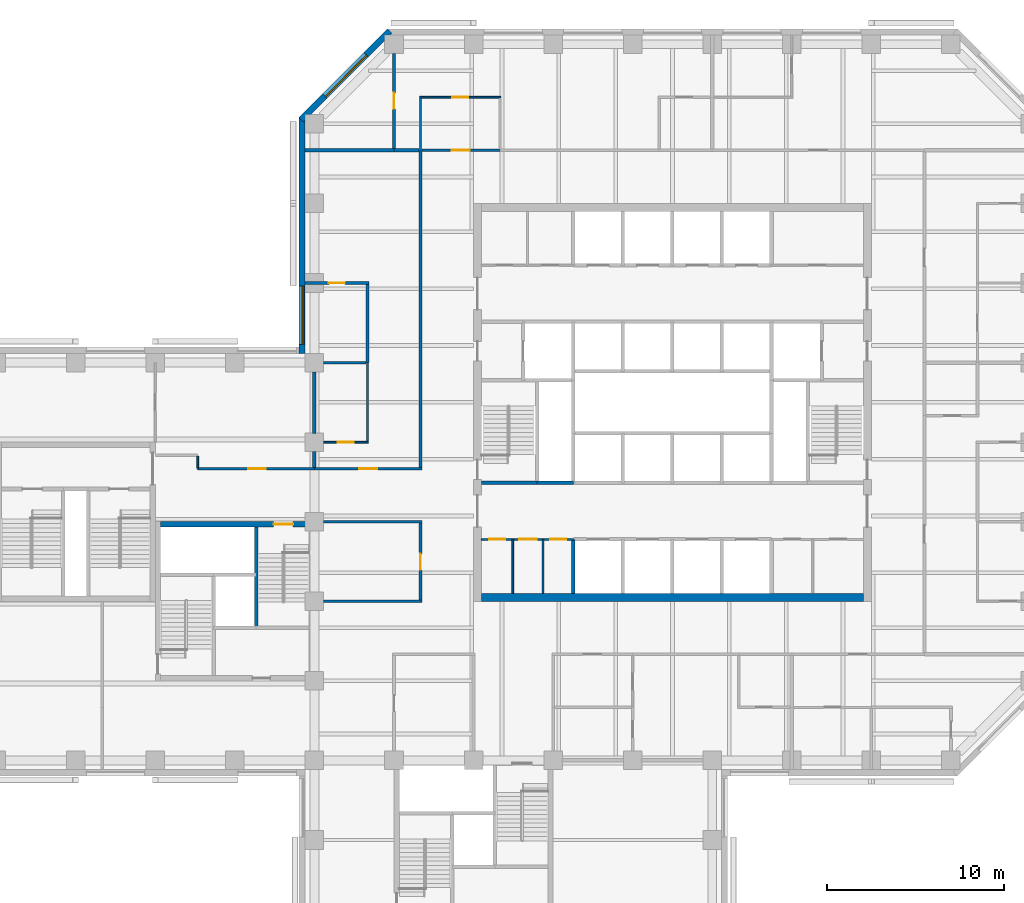
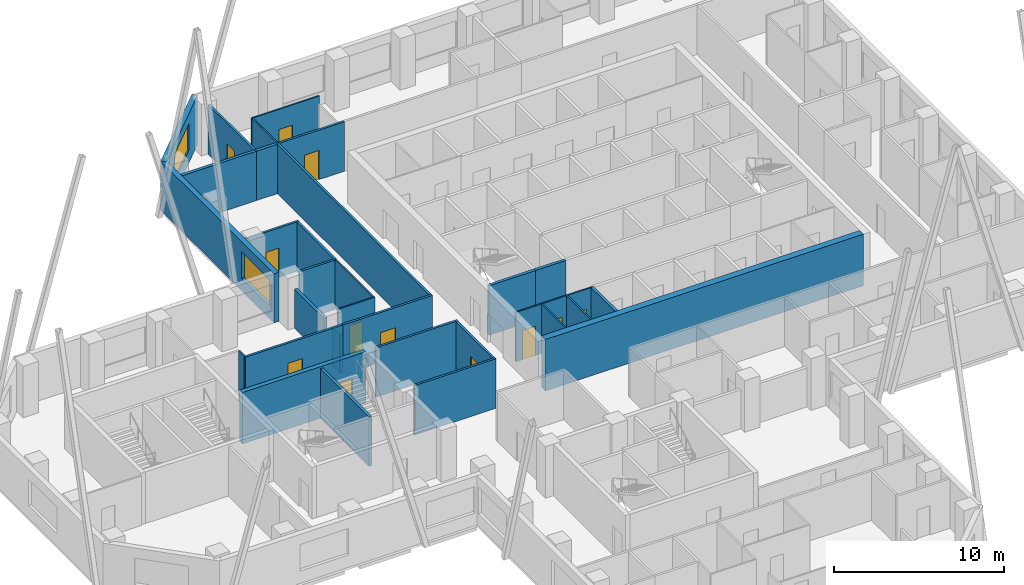
# One storey, part 6 of 11: 31 walls, 12 doors, 2 windows, 14 openings.
"""IFC4 building model written with IfcOpenShell, lengths in metres."""

from ifc_helpers import new_model, si_unit, direction, frame, frame_2d, origin, place, context, subcontext, project, spatial, rectangle, extrude, material, layer, layer_set, constituent, constituent_set, type_object, element, fill, save


model = new_model("IFC4")

# Units and contexts
model_context = context("Model", 3, precision=1e-05, world=origin(), true_north=direction((0.0, 1.0)))
body_context = subcontext(model_context, "Body", "Model", "MODEL_VIEW")
ifc_project = project(units=[si_unit("LENGTHUNIT", "METRE"), si_unit("AREAUNIT", "SQUARE_METRE"), si_unit("VOLUMEUNIT", "CUBIC_METRE"), si_unit("PLANEANGLEUNIT", "RADIAN"), si_unit("MASSUNIT", "GRAM", prefix="KILO")], contexts=[model_context])

# Site, building, storey
site_placement = place(None, origin())
site = spatial("IfcSite", under=ifc_project, at=site_placement, CompositionType="ELEMENT")
building_placement = place(site_placement, origin())
building = spatial("IfcBuilding", under=site, at=building_placement, Name="Quoin Convention Tower", CompositionType="ELEMENT")
storey_placement = place(building_placement, frame((0.0, 0.0, 127.0)))
storey = spatial("IfcBuildingStorey", under=building, at=storey_placement, Name="L33", CompositionType="ELEMENT", Elevation=127.0)

# Wall
ifc_material_1 = material(Name="Plasterboard")
ifc_layer_1 = layer(ifc_material_1, 0.012451171875, Name="Finish")
ifc_material_2 = material(Name="Steel stud framing", Category="steel")
ifc_layer_2 = layer(ifc_material_2, 0.125, Name="Structure")
ifc_layer_3 = layer(ifc_material_1, 0.012451171875, Name="Finish")
ifc_layer_set_1 = layer_set([ifc_layer_1, ifc_layer_2, ifc_layer_3], Name="Steel stud framing")
wall_type_1 = type_object("IfcWallType", Name="Acoustic partition 150", PredefinedType="PARTITIONING", material=ifc_layer_set_1)
wall_1_placement = place(storey_placement, frame((36.52490234375, 63.0, 0.0), z_axis=(0.0, 0.0, 1.0), x_axis=(1.0, 0.0, 0.0)))
element("IfcWall", 1, at=wall_1_placement, inside=storey, type_object=wall_type_1, Name="pw-L33-042", PredefinedType="PARTITIONING", context=body_context, shape_type="SweptSolid", body=[
    extrude(rectangle(XDim=2.400146484375, YDim=0.14990234375, at=frame_2d((1.2001953125, 0.0))), origin(), (0.0, 0.0, 1.0), 3.550048828125),
])

# Wall, opening, door
wall_2_placement = place(storey_placement, frame((35.47509765625, 67.5, 0.0), z_axis=(0.0, 0.0, 1.0), x_axis=(1.0, 0.0, 0.0)))
wall_2 = element("IfcWall", 2, at=wall_2_placement, inside=storey, type_object=wall_type_1, Name="pw-L33-045", PredefinedType="PARTITIONING", context=body_context, shape_type="SweptSolid", body=[
    extrude(rectangle(XDim=3.599853515625, YDim=0.14990234375, at=frame_2d((1.7998046875, 0.0))), origin(), (0.0, 0.0, 1.0), 3.550048828125),
])
opening_1_placement = place(wall_2_placement, frame((1.35009765625, 0.0, 0.0)))
opening_1 = element("IfcOpeningElement", 3, at=opening_1_placement, cuts=wall_2, Name="Opening DOL7-19", PredefinedType="OPENING", context=body_context, shape_type="SweptSolid", body=[
    extrude(rectangle(XDim=0.89990234375, YDim=2.10009765625, at=frame_2d((0.449951171875, 1.050048828125))), frame((0.0, 0.0849609375, 0.0), z_axis=(0.0, -1.0, 0.0), x_axis=(1.0, 0.0, 0.0)), (0.0, 0.0, 1.0), 0.169921875),
])
ifc_material_3 = material(Name="Steel door leaf", Category="steel")
door_type_1 = type_object("IfcDoorType", Name="Office door 900 x 2100", OperationType="SINGLE_SWING_RIGHT", PredefinedType="DOOR", material=ifc_material_3)
door_1_placement = place(opening_1_placement, origin())
door_1 = element("IfcDoor", 4, at=door_1_placement, inside=storey, type_object=door_type_1, Name="dr-L33-40", OperationType="SINGLE_SWING_RIGHT", OverallHeight=2.10009765625, OverallWidth=0.89990234375, PredefinedType="DOOR", context=body_context, shape_type="SweptSolid", body=[
    extrude(rectangle(XDim=0.89990234375, YDim=2.10009765625, at=frame_2d((0.449951171875, 1.050048828125))), frame((0.0, 0.02490234375, 0.0), z_axis=(0.0, -1.0, 0.0), x_axis=(1.0, 0.0, 0.0)), (0.0, 0.0, 1.0), 0.050048828125),
])
fill(opening_1, door_1)

# Wall
wall_3_placement = place(storey_placement, frame((39.0, 63.0, 0.0), z_axis=(0.0, 0.0, 1.0), x_axis=(0.0, 1.0, 0.0)))
element("IfcWall", 5, at=wall_3_placement, inside=storey, type_object=wall_type_1, Name="pw-L33-098", PredefinedType="PARTITIONING", context=body_context, shape_type="SweptSolid", body=[
    extrude(rectangle(XDim=4.425048828125, YDim=0.14990234375, at=frame_2d((2.21240234375, 0.0))), origin(), (0.0, 0.0, 1.0), 3.550048828125),
])

# Wall, opening, door
wall_4_placement = place(storey_placement, frame((40.5, 75.10009765625, 0.0), z_axis=(0.0, 0.0, 1.0), x_axis=(0.0, 1.0, 0.0)))
wall_4 = element("IfcWall", 6, at=wall_4_placement, inside=storey, type_object=wall_type_1, Name="pw-L33-106", PredefinedType="PARTITIONING", context=body_context, shape_type="SweptSolid", body=[
    extrude(rectangle(XDim=5.375, YDim=0.14990234375, at=frame_2d((2.6875, 0.0))), origin(), (0.0, 0.0, 1.0), 3.550048828125),
])
opening_2_placement = place(wall_4_placement, frame((2.25, 0.0, 0.0)))
opening_2 = element("IfcOpeningElement", 7, at=opening_2_placement, cuts=wall_4, Name="Opening DOL7-35", PredefinedType="OPENING", context=body_context, shape_type="SweptSolid", body=[
    extrude(rectangle(XDim=0.89990234375, YDim=2.10009765625, at=frame_2d((0.449951171875, 1.050048828125))), frame((0.0, 0.0849609375, 0.0), z_axis=(0.0, -1.0, 0.0), x_axis=(1.0, 0.0, 0.0)), (0.0, 0.0, 1.0), 0.169921875),
])
door_2_placement = place(opening_2_placement, frame((0.89990234375, 0.0, 0.0), z_axis=(0.0, 0.0, 1.0), x_axis=(-1.0, 0.0, 0.0)))
door_2 = element("IfcDoor", 8, at=door_2_placement, inside=storey, type_object=door_type_1, Name="dr-L33-35", OperationType="SINGLE_SWING_LEFT", OverallHeight=2.10009765625, OverallWidth=0.89990234375, PredefinedType="DOOR", context=body_context, shape_type="SweptSolid", body=[
    extrude(rectangle(XDim=0.89990234375, YDim=2.10009765625, at=frame_2d((0.449951171875, 1.050048828125))), frame((0.0, 0.02490234375, 0.0), z_axis=(0.0, -1.0, 0.0), x_axis=(1.0, 0.0, 0.0)), (0.0, 0.0, 1.0), 0.050048828125),
])
fill(opening_2, door_2)

# Wall, opening, window
ifc_material_4 = material(Name="Brick masonry", Category="masonry")
ifc_layer_4 = layer(ifc_material_4, 0.35009765625)
ifc_layer_set_2 = layer_set([ifc_layer_4], Name="Brick masonry")
wall_type_2 = type_object("IfcWallType", Name="Brick facade wall", PredefinedType="STANDARD", material=ifc_layer_set_2)
wall_5_placement = place(storey_placement, frame((40.26123046875, 81.751220703125, 0.0), z_axis=(0.0, 0.0, 1.0), x_axis=(-0.707106781187, -0.707106781187, 0.0)))
wall_5 = element("IfcWall", 9, at=wall_5_placement, inside=storey, type_object=wall_type_2, Name="fw-L33-40500_81000", PredefinedType="STANDARD", context=body_context, shape_type="SweptSolid", body=[
    extrude(rectangle(XDim=7.088623046875, YDim=0.35009765625, at=frame_2d((3.54443359375, 0.0))), origin(), (0.0, 0.0, 1.0), 3.52490234375),
])
opening_3_placement = place(wall_5_placement, frame((1.894287109375, 0.0, 0.89990234375)))
opening_3 = element("IfcOpeningElement", 10, at=opening_3_placement, cuts=wall_5, Name="Opening W-02", PredefinedType="OPENING", context=body_context, shape_type="SweptSolid", body=[
    extrude(rectangle(XDim=3.300048828125, YDim=1.89990234375, at=frame_2d((1.64990234375, 0.949951171875))), frame((0.0, 0.18505859375, 0.0), z_axis=(0.0, -1.0, 0.0), x_axis=(1.0, 0.0, 0.0)), (0.0, 0.0, 1.0), 0.3701171875),
])
ifc_material_5 = material(Name="Aluminium", Category="aluminium")
ifc_constituent_1 = constituent(ifc_material_5, Name="Frame")
ifc_material_6 = material(Name="Insulated glass", Category="glass")
ifc_constituent_2 = constituent(ifc_material_6, Name="Glazing")
ifc_constituent_set = constituent_set(constituents=[ifc_constituent_1, ifc_constituent_2], Name="Aluminium")
window_type = type_object("IfcWindowType", Name="Office window", PartitioningType="DOUBLE_PANEL_VERTICAL", PredefinedType="WINDOW", material=ifc_constituent_set)
window_1_placement = place(opening_3_placement, origin())
window_1 = element("IfcWindow", 11, at=window_1_placement, inside=storey, type_object=window_type, Name="win-L33-37755_79245", OverallHeight=1.89990234375, OverallWidth=3.300048828125, PartitioningType="SINGLE_PANEL", PredefinedType="WINDOW", context=body_context, shape_type="SweptSolid", body=[
    extrude(rectangle(XDim=3.300048828125, YDim=1.89990234375, at=frame_2d((1.64990234375, 0.949951171875))), frame((0.0, 0.0849609375, 0.0), z_axis=(0.0, -1.0, 0.0), x_axis=(1.0, 0.0, 0.0)), (0.0, 0.0, 1.0), 0.06005859375),
])
fill(opening_3, window_1)

wall_6_placement = place(storey_placement, frame((35.300048828125, 76.8623046875, 0.0), z_axis=(0.0, 0.0, 1.0), x_axis=(0.0, -1.0, 0.0)))
wall_6 = element("IfcWall", 12, at=wall_6_placement, inside=storey, type_object=wall_type_2, Name="fw-L33-36000_76500", PredefinedType="STANDARD", context=body_context, shape_type="SweptSolid", body=[
    extrude(rectangle(XDim=13.33740234375, YDim=0.35009765625, at=frame_2d((6.668701171875, 0.0))), origin(), (0.0, 0.0, 1.0), 3.52490234375),
])
opening_4_placement = place(wall_6_placement, frame((9.537353515625, 0.0, 0.89990234375)))
opening_4 = element("IfcOpeningElement", 13, at=opening_4_placement, cuts=wall_6, Name="Opening W-02", PredefinedType="OPENING", context=body_context, shape_type="SweptSolid", body=[
    extrude(rectangle(XDim=3.300048828125, YDim=1.89990234375, at=frame_2d((1.64990234375, 0.949951171875))), frame((0.0, 0.18505859375, 0.0), z_axis=(0.0, -1.0, 0.0), x_axis=(1.0, 0.0, 0.0)), (0.0, 0.0, 1.0), 0.3701171875),
])
window_2_placement = place(opening_4_placement, origin())
window_2 = element("IfcWindow", 14, at=window_2_placement, inside=storey, type_object=window_type, Name="win-L33-35300_65250", OverallHeight=1.89990234375, OverallWidth=3.300048828125, PartitioningType="SINGLE_PANEL", PredefinedType="WINDOW", context=body_context, shape_type="SweptSolid", body=[
    extrude(rectangle(XDim=3.300048828125, YDim=1.89990234375, at=frame_2d((1.64990234375, 0.949951171875))), frame((0.0, 0.0849609375, 0.0), z_axis=(0.0, -1.0, 0.0), x_axis=(1.0, 0.0, 0.0)), (0.0, 0.0, 1.0), 0.06005859375),
])
fill(opening_4, window_2)

# Wall, openings, doors
ifc_layer_5 = layer(ifc_material_1, 0.012451171875, Name="Finish")
ifc_layer_6 = layer(ifc_material_2, 0.074951171875, Name="Structure")
ifc_layer_7 = layer(ifc_material_1, 0.012451171875, Name="Finish")
ifc_layer_set_3 = layer_set([ifc_layer_5, ifc_layer_6, ifc_layer_7], Name="Steel stud framing")
wall_type_3 = type_object("IfcWallType", Name="Core partition wall", PredefinedType="PARTITIONING", material=ifc_layer_set_3)
wall_7_placement = place(storey_placement, frame((45.449951171875, 53.0, 0.0), z_axis=(0.0, 0.0, 1.0), x_axis=(1.0, 0.0, 0.0)))
wall_7 = element("IfcWall", 15, at=wall_7_placement, inside=storey, type_object=wall_type_3, Name="cr-C1-L33-h3500_450", PredefinedType="PARTITIONING", context=body_context, shape_type="SweptSolid", body=[
    extrude(rectangle(XDim=5.199951171875, YDim=0.10009765625, at=frame_2d((2.60009765625, 0.0))), origin(), (0.0, 0.0, 1.0), 3.550048828125),
])
opening_5_placement = place(wall_7_placement, frame((0.43408203125, 0.0, 0.0)))
opening_5 = element("IfcOpeningElement", 16, at=opening_5_placement, cuts=wall_7, Name="Opening DCV5-41", PredefinedType="OPENING", context=body_context, shape_type="SweptSolid", body=[
    extrude(rectangle(XDim=0.89990234375, YDim=2.10009765625, at=frame_2d((0.449951171875, 1.050048828125))), frame((0.0, 0.06005859375, 0.0), z_axis=(0.0, -1.0, 0.0), x_axis=(1.0, 0.0, 0.0)), (0.0, 0.0, 1.0), 0.1201171875),
])
opening_6_placement = place(wall_7_placement, frame((2.1259765625, 0.0, 0.0)))
opening_6 = element("IfcOpeningElement", 17, at=opening_6_placement, cuts=wall_7, Name="Opening DCV5-42", PredefinedType="OPENING", context=body_context, shape_type="SweptSolid", body=[
    extrude(rectangle(XDim=1.0, YDim=2.10009765625, at=frame_2d((0.5, 1.050048828125))), frame((0.0, 0.06005859375, 0.0), z_axis=(0.0, -1.0, 0.0), x_axis=(1.0, 0.0, 0.0)), (0.0, 0.0, 1.0), 0.1201171875),
])
opening_7_placement = place(wall_7_placement, frame((3.89208984375, 0.0, 0.0)))
opening_7 = element("IfcOpeningElement", 18, at=opening_7_placement, cuts=wall_7, Name="Opening DCV5-43", PredefinedType="OPENING", context=body_context, shape_type="SweptSolid", body=[
    extrude(rectangle(XDim=0.89990234375, YDim=2.10009765625, at=frame_2d((0.449951171875, 1.050048828125))), frame((0.0, 0.06005859375, 0.0), z_axis=(0.0, -1.0, 0.0), x_axis=(1.0, 0.0, 0.0)), (0.0, 0.0, 1.0), 0.1201171875),
])
door_type_2 = type_object("IfcDoorType", Name="Core room door 1000 x 2100", OperationType="SINGLE_SWING_LEFT", PredefinedType="DOOR", material=ifc_material_3)
door_3_placement = place(opening_6_placement, frame((1.0, 0.0, 0.0), z_axis=(0.0, 0.0, 1.0), x_axis=(-1.0, 0.0, 0.0)))
door_3 = element("IfcDoor", 19, at=door_3_placement, inside=storey, type_object=door_type_2, Name="cd-C1-L33-CSW1-lobA-CD3313", OperationType="SINGLE_SWING_LEFT", OverallHeight=2.10009765625, OverallWidth=1.0, PredefinedType="DOOR", context=body_context, shape_type="SweptSolid", body=[
    extrude(rectangle(XDim=1.0, YDim=2.10009765625, at=frame_2d((0.5, 1.050048828125))), frame((0.0, 0.02490234375, 0.0), z_axis=(0.0, -1.0, 0.0), x_axis=(1.0, 0.0, 0.0)), (0.0, 0.0, 1.0), 0.050048828125),
])
fill(opening_6, door_3)
door_type_3 = type_object("IfcDoorType", Name="Core room door 900 x 2100", OperationType="SINGLE_SWING_LEFT", PredefinedType="DOOR", material=ifc_material_3)
door_4_placement = place(opening_5_placement, frame((0.89990234375, 0.0, 0.0), z_axis=(0.0, 0.0, 1.0), x_axis=(-1.0, 0.0, 0.0)))
door_4 = element("IfcDoor", 20, at=door_4_placement, inside=storey, type_object=door_type_3, Name="cd-C1-L33-CSW0-lobA-CD3312", OperationType="SINGLE_SWING_LEFT", OverallHeight=2.10009765625, OverallWidth=0.89990234375, PredefinedType="DOOR", context=body_context, shape_type="SweptSolid", body=[
    extrude(rectangle(XDim=0.89990234375, YDim=2.10009765625, at=frame_2d((0.449951171875, 1.050048828125))), frame((0.0, 0.02490234375, 0.0), z_axis=(0.0, -1.0, 0.0), x_axis=(1.0, 0.0, 0.0)), (0.0, 0.0, 1.0), 0.050048828125),
])
fill(opening_5, door_4)
door_5_placement = place(opening_7_placement, frame((0.89990234375, 0.0, 0.0), z_axis=(0.0, 0.0, 1.0), x_axis=(-1.0, 0.0, 0.0)))
door_5 = element("IfcDoor", 21, at=door_5_placement, inside=storey, type_object=door_type_3, Name="cd-C1-L33-CSW2-lobA-CD3314", OperationType="SINGLE_SWING_LEFT", OverallHeight=2.10009765625, OverallWidth=0.89990234375, PredefinedType="DOOR", context=body_context, shape_type="SweptSolid", body=[
    extrude(rectangle(XDim=0.89990234375, YDim=2.10009765625, at=frame_2d((0.449951171875, 1.050048828125))), frame((0.0, 0.02490234375, 0.0), z_axis=(0.0, -1.0, 0.0), x_axis=(1.0, 0.0, 0.0)), (0.0, 0.0, 1.0), 0.050048828125),
])
fill(opening_7, door_5)

# Walls
for number, where, z_axis, x_axis, name in (
    (22, (47.218017578125, 49.949951171875, 0.0), (0.0, 0.0, 1.0), (0.0, 1.0, 0.0), "cr-C1-L33-v2218_450"),
    (23, (48.93408203125, 49.949951171875, 0.0), (0.0, 0.0, 1.0), (0.0, 1.0, 0.0), "cr-C1-L33-v3934_450"),
):
    element("IfcWall", number, at=place(storey_placement, frame(where, z_axis=z_axis, x_axis=x_axis)), inside=storey, type_object=wall_type_3, Name=name, PredefinedType="PARTITIONING", context=body_context, shape_type="SweptSolid", body=[
        extrude(rectangle(XDim=3.050048828125, YDim=0.10009765625, at=frame_2d((1.52490234375, 0.0))), origin(), (0.0, 0.0, 1.0), 3.550048828125),
    ])
ifc_material_7 = material(Name="Concrete C50", Category="concrete")
ifc_layer_8 = layer(ifc_material_7, 0.199951171875)
ifc_layer_set_4 = layer_set([ifc_layer_8], Name="Concrete C50")
wall_type_4 = type_object("IfcWallType", Name="Core shaft wall", PredefinedType="SOLIDWALL", material=ifc_layer_set_4)
wall_8_placement = place(storey_placement, frame((48.60009765625, 56.199951171875, 0.0), z_axis=(0.0, 0.0, 1.0), x_axis=(1.0, 0.0, 0.0)))
element("IfcWall", 24, at=wall_8_placement, inside=storey, type_object=wall_type_4, Name="cr-C1-L33-h6700_3600", PredefinedType="SOLIDWALL", context=body_context, shape_type="SweptSolid", body=[
    extrude(rectangle(XDim=2.0498046875, YDim=0.199951171875, at=frame_2d((1.02490234375, 0.0))), origin(), (0.0, 0.0, 1.0), 3.550048828125),
])
wall_9_placement = place(storey_placement, frame((45.449951171875, 56.199951171875, 0.0), z_axis=(0.0, 0.0, 1.0), x_axis=(1.0, 0.0, 0.0)))
element("IfcWall", 25, at=wall_9_placement, inside=storey, type_object=wall_type_4, Name="cr-C1-L33-h6700_450", PredefinedType="SOLIDWALL", context=body_context, shape_type="SweptSolid", body=[
    extrude(rectangle(XDim=3.150146484375, YDim=0.199951171875, at=frame_2d((1.5751953125, 0.0))), origin(), (0.0, 0.0, 1.0), 3.550048828125),
])
wall_10_placement = place(storey_placement, frame((50.64990234375, 49.949951171875, 0.0), z_axis=(0.0, 0.0, 1.0), x_axis=(0.0, 1.0, 0.0)))
element("IfcWall", 26, at=wall_10_placement, inside=storey, type_object=wall_type_4, Name="cr-C1-L33-v5650_450", PredefinedType="SOLIDWALL", context=body_context, shape_type="SweptSolid", body=[
    extrude(rectangle(XDim=3.050048828125, YDim=0.199951171875, at=frame_2d((1.52490234375, 0.0))), origin(), (0.0, 0.0, 1.0), 3.550048828125),
])
wall_11_placement = place(storey_placement, frame((32.699951171875, 48.0, 0.0), z_axis=(0.0, 0.0, 1.0), x_axis=(0.0, 1.0, 0.0)))
element("IfcWall", 27, at=wall_11_placement, inside=storey, type_object=wall_type_4, Name="cr-P2-L33-v5700_3000", PredefinedType="SOLIDWALL", context=body_context, shape_type="SweptSolid", body=[
    extrude(rectangle(XDim=5.699951171875, YDim=0.199951171875, at=frame_2d((2.85009765625, 0.0))), origin(), (0.0, 0.0, 1.0), 3.550048828125),
])
ifc_layer_9 = layer(ifc_material_1, 0.012451171875, Name="Finish")
ifc_layer_10 = layer(ifc_material_2, 0.125, Name="Structure")
ifc_layer_11 = layer(ifc_material_1, 0.012451171875, Name="Finish")
ifc_layer_set_5 = layer_set([ifc_layer_9, ifc_layer_10, ifc_layer_11], Name="Steel stud framing")
wall_type_5 = type_object("IfcWallType", Name="Corridor wall 150", PredefinedType="PARTITIONING", material=ifc_layer_set_5)
for number, where, z_axis, x_axis, name in (
    (28, (36.52490234375, 49.5, 0.0), (0.0, 0.0, 1.0), (1.0, 0.0, 0.0), "pw-L33-031"),
    (29, (36.52490234375, 54.0, 0.0), (0.0, 0.0, 1.0), (1.0, 0.0, 0.0), "pw-L33-034"),
):
    element("IfcWall", number, at=place(storey_placement, frame(where, z_axis=z_axis, x_axis=x_axis)), inside=storey, type_object=wall_type_5, Name=name, PredefinedType="PARTITIONING", context=body_context, shape_type="SweptSolid", body=[
        extrude(rectangle(XDim=5.550048828125, YDim=0.14990234375, at=frame_2d((2.77490234375, 0.0))), origin(), (0.0, 0.0, 1.0), 3.550048828125),
    ])

# Wall, opening, door
wall_12_placement = place(storey_placement, frame((29.3798828125, 57.0, 0.0), z_axis=(0.0, 0.0, 1.0), x_axis=(1.0, 0.0, 0.0)))
wall_12 = element("IfcWall", 30, at=wall_12_placement, inside=storey, type_object=wall_type_5, Name="pw-L33-036", PredefinedType="PARTITIONING", context=body_context, shape_type="SweptSolid", body=[
    extrude(rectangle(XDim=6.6201171875, YDim=0.14990234375, at=frame_2d((3.31005859375, 0.0))), origin(), (0.0, 0.0, 1.0), 3.550048828125),
])
opening_8_placement = place(wall_12_placement, frame((2.8798828125, 0.0, 0.0)))
opening_8 = element("IfcOpeningElement", 31, at=opening_8_placement, cuts=wall_12, Name="Opening DOL7-14", PredefinedType="OPENING", context=body_context, shape_type="SweptSolid", body=[
    extrude(rectangle(XDim=1.0, YDim=2.10009765625, at=frame_2d((0.5, 1.050048828125))), frame((0.0, 0.0849609375, 0.0), z_axis=(0.0, -1.0, 0.0), x_axis=(1.0, 0.0, 0.0)), (0.0, 0.0, 1.0), 0.169921875),
])
door_type_4 = type_object("IfcDoorType", Name="Tenancy entrance door 1000 x 2100", OperationType="DOUBLE_DOOR_SINGLE_SWING", PredefinedType="DOOR", material=ifc_material_3)
door_6_placement = place(opening_8_placement, origin())
door_6 = element("IfcDoor", 32, at=door_6_placement, inside=storey, type_object=door_type_4, Name="dr-L33-w01", OperationType="DOUBLE_DOOR_SINGLE_SWING", OverallHeight=2.10009765625, OverallWidth=1.0, PredefinedType="DOOR", context=body_context, shape_type="SweptSolid", body=[
    extrude(rectangle(XDim=1.0, YDim=2.10009765625, at=frame_2d((0.5, 1.050048828125))), frame((0.0, 0.02490234375, 0.0), z_axis=(0.0, -1.0, 0.0), x_axis=(1.0, 0.0, 0.0)), (0.0, 0.0, 1.0), 0.050048828125),
])
fill(opening_8, door_6)

wall_13_placement = place(storey_placement, frame((36.0, 57.0, 0.0), z_axis=(0.0, 0.0, 1.0), x_axis=(1.0, 0.0, 0.0)))
wall_13 = element("IfcWall", 33, at=wall_13_placement, inside=storey, type_object=wall_type_5, Name="pw-L33-037", PredefinedType="PARTITIONING", context=body_context, shape_type="SweptSolid", body=[
    extrude(rectangle(XDim=6.074951171875, YDim=0.14990234375, at=frame_2d((3.03759765625, 0.0))), origin(), (0.0, 0.0, 1.0), 3.550048828125),
])
opening_9_placement = place(wall_13_placement, frame((2.550048828125, 0.0, 0.0)))
opening_9 = element("IfcOpeningElement", 34, at=opening_9_placement, cuts=wall_13, Name="Opening DOL7-15", PredefinedType="OPENING", context=body_context, shape_type="SweptSolid", body=[
    extrude(rectangle(XDim=1.0, YDim=2.10009765625, at=frame_2d((0.5, 1.050048828125))), frame((0.0, 0.0849609375, 0.0), z_axis=(0.0, -1.0, 0.0), x_axis=(1.0, 0.0, 0.0)), (0.0, 0.0, 1.0), 0.169921875),
])
door_7_placement = place(opening_9_placement, origin())
door_7 = element("IfcDoor", 35, at=door_7_placement, inside=storey, type_object=door_type_4, Name="dr-L33-38", OperationType="DOUBLE_DOOR_SINGLE_SWING", OverallHeight=2.10009765625, OverallWidth=1.0, PredefinedType="DOOR", context=body_context, shape_type="SweptSolid", body=[
    extrude(rectangle(XDim=1.0, YDim=2.10009765625, at=frame_2d((0.5, 1.050048828125))), frame((0.0, 0.02490234375, 0.0), z_axis=(0.0, -1.0, 0.0), x_axis=(1.0, 0.0, 0.0)), (0.0, 0.0, 1.0), 0.050048828125),
])
fill(opening_9, door_7)

wall_14_placement = place(storey_placement, frame((42.074951171875, 75.0, 0.0), z_axis=(0.0, 0.0, 1.0), x_axis=(1.0, 0.0, 0.0)))
wall_14 = element("IfcWall", 36, at=wall_14_placement, inside=storey, type_object=wall_type_5, Name="pw-L33-050", PredefinedType="PARTITIONING", context=body_context, shape_type="SweptSolid", body=[
    extrude(rectangle(XDim=4.425048828125, YDim=0.14990234375, at=frame_2d((2.21240234375, 0.0))), origin(), (0.0, 0.0, 1.0), 3.550048828125),
])
opening_10_placement = place(wall_14_placement, frame((1.699951171875, 0.0, 0.0)))
opening_10 = element("IfcOpeningElement", 37, at=opening_10_placement, cuts=wall_14, Name="Opening DOL7-21", PredefinedType="OPENING", context=body_context, shape_type="SweptSolid", body=[
    extrude(rectangle(XDim=1.0, YDim=2.10009765625, at=frame_2d((0.5, 1.050048828125))), frame((0.0, 0.0849609375, 0.0), z_axis=(0.0, -1.0, 0.0), x_axis=(1.0, 0.0, 0.0)), (0.0, 0.0, 1.0), 0.169921875),
])
door_8_placement = place(opening_10_placement, frame((1.0, 0.0, 0.0), z_axis=(0.0, 0.0, 1.0), x_axis=(-1.0, 0.0, 0.0)))
door_8 = element("IfcDoor", 38, at=door_8_placement, inside=storey, type_object=door_type_4, Name="dr-L33-32", OperationType="DOUBLE_DOOR_SINGLE_SWING", OverallHeight=2.10009765625, OverallWidth=1.0, PredefinedType="DOOR", context=body_context, shape_type="SweptSolid", body=[
    extrude(rectangle(XDim=1.0, YDim=2.10009765625, at=frame_2d((0.5, 1.050048828125))), frame((0.0, 0.02490234375, 0.0), z_axis=(0.0, -1.0, 0.0), x_axis=(1.0, 0.0, 0.0)), (0.0, 0.0, 1.0), 0.050048828125),
])
fill(opening_10, door_8)

wall_15_placement = place(storey_placement, frame((42.0, 49.574951171875, 0.0), z_axis=(0.0, 0.0, 1.0), x_axis=(0.0, 1.0, 0.0)))
wall_15 = element("IfcWall", 39, at=wall_15_placement, inside=storey, type_object=wall_type_5, Name="pw-L33-087", PredefinedType="PARTITIONING", context=body_context, shape_type="SweptSolid", body=[
    extrude(rectangle(XDim=4.35009765625, YDim=0.14990234375, at=frame_2d((2.175048828125, 0.0))), origin(), (0.0, 0.0, 1.0), 3.550048828125),
])
opening_11_placement = place(wall_15_placement, frame((1.699951171875, 0.0, 0.0)))
opening_11 = element("IfcOpeningElement", 40, at=opening_11_placement, cuts=wall_15, Name="Opening DOL7-32", PredefinedType="OPENING", context=body_context, shape_type="SweptSolid", body=[
    extrude(rectangle(XDim=0.89990234375, YDim=2.10009765625, at=frame_2d((0.449951171875, 1.050048828125))), frame((0.0, 0.0849609375, 0.0), z_axis=(0.0, -1.0, 0.0), x_axis=(1.0, 0.0, 0.0)), (0.0, 0.0, 1.0), 0.169921875),
])
door_9_placement = place(opening_11_placement, origin())
door_9 = element("IfcDoor", 41, at=door_9_placement, inside=storey, type_object=door_type_1, Name="dr-L33-01", OperationType="SINGLE_SWING_RIGHT", OverallHeight=2.10009765625, OverallWidth=0.89990234375, PredefinedType="DOOR", context=body_context, shape_type="SweptSolid", body=[
    extrude(rectangle(XDim=0.89990234375, YDim=2.10009765625, at=frame_2d((0.449951171875, 1.050048828125))), frame((0.0, 0.02490234375, 0.0), z_axis=(0.0, -1.0, 0.0), x_axis=(1.0, 0.0, 0.0)), (0.0, 0.0, 1.0), 0.050048828125),
])
fill(opening_11, door_9)

# Wall
wall_16_placement = place(storey_placement, frame((42.0, 57.074951171875, 0.0), z_axis=(0.0, 0.0, 1.0), x_axis=(0.0, 1.0, 0.0)))
element("IfcWall", 42, at=wall_16_placement, inside=storey, type_object=wall_type_5, Name="pw-L33-091", PredefinedType="PARTITIONING", context=body_context, shape_type="SweptSolid", body=[
    extrude(rectangle(XDim=17.925048828125, YDim=0.14990234375, at=frame_2d((8.96240234375, 0.0))), origin(), (0.0, 0.0, 1.0), 3.550048828125),
])

# Wall, opening, door
ifc_material_8 = material(Name="Concrete C65", Category="concrete")
ifc_layer_12 = layer(ifc_material_8, 0.300048828125)
ifc_layer_set_6 = layer_set([ifc_layer_12], Name="Concrete C65")
wall_type_6 = type_object("IfcWallType", Name="RC CORE WALL 300 C65", PredefinedType="SHEAR", material=ifc_layer_set_6)
wall_17_placement = place(storey_placement, frame((27.300048828125, 53.85009765625, 0.0), z_axis=(0.0, 0.0, 1.0), x_axis=(1.0, 0.0, 0.0)))
wall_17 = element("IfcWall", 43, at=wall_17_placement, inside=storey, type_object=wall_type_6, Name="cwl-P2-L33-N", PredefinedType="SHEAR", context=body_context, shape_type="SweptSolid", body=[
    extrude(rectangle(XDim=8.39990234375, YDim=0.300048828125, at=frame_2d((4.199951171875, 0.0))), origin(), (0.0, 0.0, 1.0), 3.699951171875),
])
opening_12_placement = place(wall_17_placement, frame((6.39990234375, 0.0, 0.0)))
opening_12 = element("IfcOpeningElement", 44, at=opening_12_placement, cuts=wall_17, Name="Opening SD4", PredefinedType="OPENING", context=body_context, shape_type="SweptSolid", body=[
    extrude(rectangle(XDim=1.10009765625, YDim=2.10009765625, at=frame_2d((0.550048828125, 1.050048828125))), frame((0.0, 0.159912109375, 0.0), z_axis=(0.0, -1.0, 0.0), x_axis=(1.0, 0.0, 0.0)), (0.0, 0.0, 1.0), 0.320068359375),
])
door_type_5 = type_object("IfcDoorType", Name="Stair door 1100 x 2100", OperationType="SINGLE_SWING_RIGHT", PredefinedType="DOOR", material=ifc_material_3)
door_10_placement = place(opening_12_placement, frame((1.10009765625, 0.0, 0.0), z_axis=(0.0, 0.0, 1.0), x_axis=(-1.0, 0.0, 0.0)))
door_10 = element("IfcDoor", 45, at=door_10_placement, inside=storey, type_object=door_type_5, Name="cd-P2-L33-SB-N", OperationType="SINGLE_SWING_LEFT", OverallHeight=2.10009765625, OverallWidth=1.10009765625, PredefinedType="DOOR", context=body_context, shape_type="SweptSolid", body=[
    extrude(rectangle(XDim=1.10009765625, YDim=2.10009765625, at=frame_2d((0.550048828125, 1.050048828125))), frame((0.0, 0.02490234375, 0.0), z_axis=(0.0, -1.0, 0.0), x_axis=(1.0, 0.0, 0.0)), (0.0, 0.0, 1.0), 0.050048828125),
])
fill(opening_12, door_10)

# Wall
ifc_layer_13 = layer(ifc_material_8, 0.449951171875)
ifc_layer_set_7 = layer_set([ifc_layer_13], Name="Concrete C65")
wall_type_7 = type_object("IfcWallType", Name="RC CORE WALL 450 C65", PredefinedType="SHEAR", material=ifc_layer_set_7)
wall_18_placement = place(storey_placement, frame((45.449951171875, 49.72509765625, 0.0), z_axis=(0.0, 0.0, 1.0), x_axis=(1.0, 0.0, 0.0)))
element("IfcWall", 46, at=wall_18_placement, inside=storey, type_object=wall_type_7, Name="cwl-C1-L33-S", PredefinedType="SHEAR", context=body_context, shape_type="SweptSolid", body=[
    extrude(rectangle(XDim=21.60009765625, YDim=0.449951171875, at=frame_2d((10.800048828125, 0.0))), origin(), (0.0, 0.0, 1.0), 3.699951171875),
])

# Wall, opening, door
ifc_layer_14 = layer(ifc_material_1, 0.012451171875, Name="Finish")
ifc_layer_15 = layer(ifc_material_2, 0.074951171875, Name="Structure")
ifc_layer_16 = layer(ifc_material_1, 0.012451171875, Name="Finish")
ifc_layer_set_8 = layer_set([ifc_layer_14, ifc_layer_15, ifc_layer_16], Name="Steel stud framing")
wall_type_8 = type_object("IfcWallType", Name="Stud partition 100", PredefinedType="PARTITIONING", material=ifc_layer_set_8)
wall_19_placement = place(storey_placement, frame((36.52490234375, 58.5, 0.0), z_axis=(0.0, 0.0, 1.0), x_axis=(1.0, 0.0, 0.0)))
wall_19 = element("IfcWall", 47, at=wall_19_placement, inside=storey, type_object=wall_type_8, Name="pw-L33-038", PredefinedType="PARTITIONING", context=body_context, shape_type="SweptSolid", body=[
    extrude(rectangle(XDim=2.525146484375, YDim=0.10009765625, at=frame_2d((1.2626953125, 0.0))), origin(), (0.0, 0.0, 1.0), 3.550048828125),
])
opening_13_placement = place(wall_19_placement, frame((0.800048828125, 0.0, 0.0)))
opening_13 = element("IfcOpeningElement", 48, at=opening_13_placement, cuts=wall_19, Name="Opening DOL7-16", PredefinedType="OPENING", context=body_context, shape_type="SweptSolid", body=[
    extrude(rectangle(XDim=0.89990234375, YDim=2.10009765625, at=frame_2d((0.449951171875, 1.050048828125))), frame((0.0, 0.06005859375, 0.0), z_axis=(0.0, -1.0, 0.0), x_axis=(1.0, 0.0, 0.0)), (0.0, 0.0, 1.0), 0.1201171875),
])
door_11_placement = place(opening_13_placement, frame((0.89990234375, 0.0, 0.0), z_axis=(0.0, 0.0, 1.0), x_axis=(-1.0, 0.0, 0.0)))
door_11 = element("IfcDoor", 49, at=door_11_placement, inside=storey, type_object=door_type_1, Name="dr-L33-39", OperationType="SINGLE_SWING_LEFT", OverallHeight=2.10009765625, OverallWidth=0.89990234375, PredefinedType="DOOR", context=body_context, shape_type="SweptSolid", body=[
    extrude(rectangle(XDim=0.89990234375, YDim=2.10009765625, at=frame_2d((0.449951171875, 1.050048828125))), frame((0.0, 0.02490234375, 0.0), z_axis=(0.0, -1.0, 0.0), x_axis=(1.0, 0.0, 0.0)), (0.0, 0.0, 1.0), 0.050048828125),
])
fill(opening_13, door_11)

wall_20_placement = place(storey_placement, frame((41.949951171875, 78.0, 0.0), z_axis=(0.0, 0.0, 1.0), x_axis=(1.0, 0.0, 0.0)))
wall_20 = element("IfcWall", 50, at=wall_20_placement, inside=storey, type_object=wall_type_8, Name="pw-L33-055", PredefinedType="PARTITIONING", context=body_context, shape_type="SweptSolid", body=[
    extrude(rectangle(XDim=4.60009765625, YDim=0.10009765625, at=frame_2d((2.300048828125, 0.0))), origin(), (0.0, 0.0, 1.0), 3.550048828125),
])
opening_14_placement = place(wall_20_placement, frame((1.85009765625, 0.0, 0.0)))
opening_14 = element("IfcOpeningElement", 51, at=opening_14_placement, cuts=wall_20, Name="Opening DOL7-23", PredefinedType="OPENING", context=body_context, shape_type="SweptSolid", body=[
    extrude(rectangle(XDim=0.89990234375, YDim=2.10009765625, at=frame_2d((0.449951171875, 1.050048828125))), frame((0.0, 0.06005859375, 0.0), z_axis=(0.0, -1.0, 0.0), x_axis=(1.0, 0.0, 0.0)), (0.0, 0.0, 1.0), 0.1201171875),
])
door_12_placement = place(opening_14_placement, origin())
door_12 = element("IfcDoor", 52, at=door_12_placement, inside=storey, type_object=door_type_1, Name="dr-L33-33", OperationType="SINGLE_SWING_RIGHT", OverallHeight=2.10009765625, OverallWidth=0.89990234375, PredefinedType="DOOR", context=body_context, shape_type="SweptSolid", body=[
    extrude(rectangle(XDim=0.89990234375, YDim=2.10009765625, at=frame_2d((0.449951171875, 1.050048828125))), frame((0.0, 0.02490234375, 0.0), z_axis=(0.0, -1.0, 0.0), x_axis=(1.0, 0.0, 0.0)), (0.0, 0.0, 1.0), 0.050048828125),
])
fill(opening_14, door_12)

# Walls
wall_21_placement = place(storey_placement, frame((39.0, 58.550048828125, 0.0), z_axis=(0.0, 0.0, 1.0), x_axis=(0.0, 1.0, 0.0)))
element("IfcWall", 53, at=wall_21_placement, inside=storey, type_object=wall_type_8, Name="pw-L33-092", PredefinedType="PARTITIONING", context=body_context, shape_type="SweptSolid", body=[
    extrude(rectangle(XDim=4.449951171875, YDim=0.10009765625, at=frame_2d((2.22509765625, 0.0))), origin(), (0.0, 0.0, 1.0), 3.550048828125),
])
wall_22_placement = place(storey_placement, frame((42.0, 75.0, 0.0), z_axis=(0.0, 0.0, 1.0), x_axis=(0.0, 1.0, 0.0)))
element("IfcWall", 54, at=wall_22_placement, inside=storey, type_object=wall_type_8, Name="pw-L33-102", PredefinedType="PARTITIONING", context=body_context, shape_type="SweptSolid", body=[
    extrude(rectangle(XDim=2.949951171875, YDim=0.10009765625, at=frame_2d((1.47509765625, 0.0))), origin(), (0.0, 0.0, 1.0), 3.550048828125),
])
wall_23_placement = place(storey_placement, frame((29.39990234375, 57.715087890625, 0.0), z_axis=(0.0, 0.0, 1.0), x_axis=(0.0, -1.0, 0.0)))
element("IfcWall", 55, at=wall_23_placement, inside=storey, type_object=wall_type_8, Name="pw-L33-w04", PredefinedType="PARTITIONING", context=body_context, shape_type="SweptSolid", body=[
    extrude(rectangle(XDim=0.68017578125, YDim=0.10009765625, at=frame_2d((0.340087890625, 0.0))), origin(), (0.0, 0.0, 1.0), 3.550048828125),
])
ifc_layer_17 = layer(ifc_material_1, 0.012451171875, Name="Finish")
ifc_layer_18 = layer(ifc_material_2, 0.175048828125, Name="Structure")
ifc_layer_19 = layer(ifc_material_1, 0.012451171875, Name="Finish")
ifc_layer_set_9 = layer_set([ifc_layer_17, ifc_layer_18, ifc_layer_19], Name="Steel stud framing")
wall_type_9 = type_object("IfcWallType", Name="Tenancy demising wall 200", PredefinedType="PARTITIONING", material=ifc_layer_set_9)
wall_24_placement = place(storey_placement, frame((35.47509765625, 75.0, 0.0), z_axis=(0.0, 0.0, 1.0), x_axis=(1.0, 0.0, 0.0)))
element("IfcWall", 56, at=wall_24_placement, inside=storey, type_object=wall_type_9, Name="pw-L33-048", PredefinedType="PARTITIONING", context=body_context, shape_type="SweptSolid", body=[
    extrude(rectangle(XDim=5.02490234375, YDim=0.199951171875, at=frame_2d((2.512451171875, 0.0))), origin(), (0.0, 0.0, 1.0), 3.550048828125),
])
wall_25_placement = place(storey_placement, frame((40.5, 75.0, 0.0), z_axis=(0.0, 0.0, 1.0), x_axis=(1.0, 0.0, 0.0)))
element("IfcWall", 57, at=wall_25_placement, inside=storey, type_object=wall_type_9, Name="pw-L33-049", PredefinedType="PARTITIONING", context=body_context, shape_type="SweptSolid", body=[
    extrude(rectangle(XDim=1.425048828125, YDim=0.199951171875, at=frame_2d((0.71240234375, 0.0))), origin(), (0.0, 0.0, 1.0), 3.550048828125),
])
ifc_layer_20 = layer(ifc_material_1, 0.012451171875, Name="Finish")
ifc_layer_21 = layer(ifc_material_2, 0.175048828125, Name="Structure")
ifc_layer_22 = layer(ifc_material_1, 0.012451171875, Name="Finish")
ifc_layer_set_10 = layer_set([ifc_layer_20, ifc_layer_21, ifc_layer_22], Name="Steel stud framing")
wall_type_10 = type_object("IfcWallType", Name="Tenancy demising wall 200 under beam 750", PredefinedType="PARTITIONING", material=ifc_layer_set_10)
wall_26_placement = place(storey_placement, frame((36.0, 57.074951171875, 0.0), z_axis=(0.0, 0.0, 1.0), x_axis=(0.0, 1.0, 0.0)))
element("IfcWall", 58, at=wall_26_placement, inside=storey, type_object=wall_type_10, Name="pw-L33-090", PredefinedType="PARTITIONING", context=body_context, shape_type="SweptSolid", body=[
    extrude(rectangle(XDim=0.900146484375, YDim=0.199951171875, at=frame_2d((0.4501953125, 0.0))), origin(), (0.0, 0.0, 1.0), 2.800048828125),
])
wall_27_placement = place(storey_placement, frame((36.0, 58.9951171875, 0.0), z_axis=(0.0, 0.0, 1.0), x_axis=(0.0, 1.0, 0.0)))
element("IfcWall", 59, at=wall_27_placement, inside=storey, type_object=wall_type_10, Name="pw-L33-093", PredefinedType="PARTITIONING", context=body_context, shape_type="SweptSolid", body=[
    extrude(rectangle(XDim=3.47998046875, YDim=0.199951171875, at=frame_2d((1.739990234375, 0.0))), origin(), (0.0, 0.0, 1.0), 2.800048828125),
])

save(model, "model.ifc")
